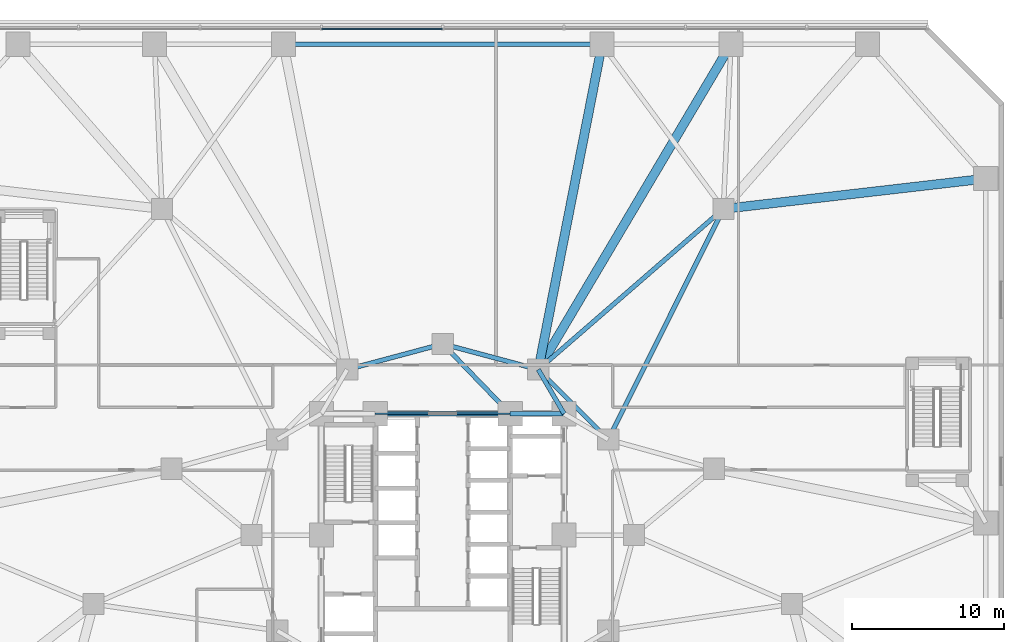
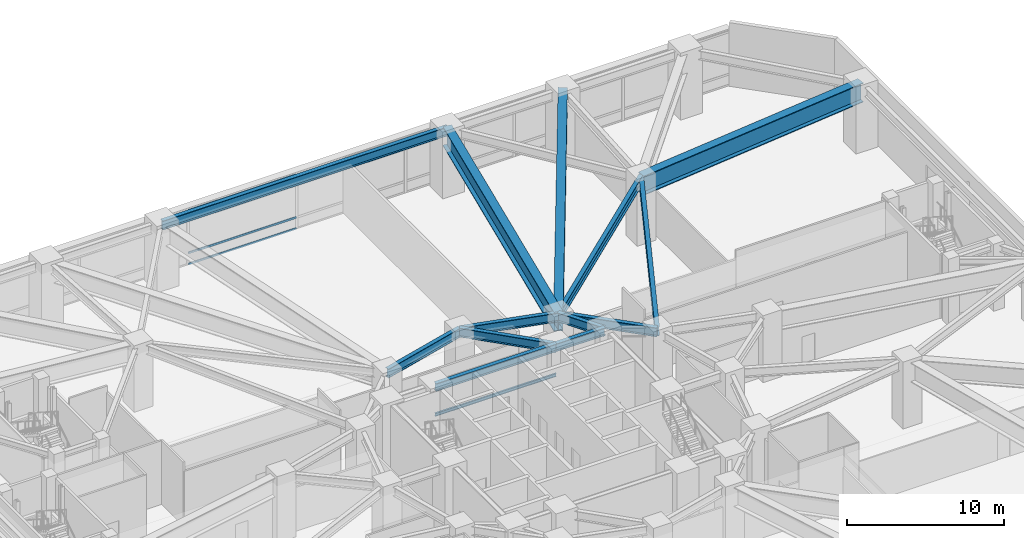
# One storey, part 10 of 27: 14 beams, 3 members, 1 element without a shape of its own.
"""IFC4 building model written with IfcOpenShell, lengths in metres."""

from ifc_helpers import new_model, si_unit, direction, frame, origin, origin_2d, place, context, subcontext, project, spatial, rectangle, i_section, extrude, material, layer, layer_set, material_profile, profile_set, type_object, element, aggregate, save


model = new_model("IFC4")

# Units and contexts
model_context = context("Model", 3, precision=1e-05, world=origin(), true_north=direction((0.0, 1.0)))
body_context = subcontext(model_context, "Body", "Model", "MODEL_VIEW")
ifc_project = project(units=[si_unit("LENGTHUNIT", "METRE"), si_unit("AREAUNIT", "SQUARE_METRE"), si_unit("VOLUMEUNIT", "CUBIC_METRE"), si_unit("PLANEANGLEUNIT", "RADIAN"), si_unit("MASSUNIT", "GRAM", prefix="KILO")], contexts=[model_context])

# Site, building, storey
site_placement = place(None, origin())
site = spatial("IfcSite", under=ifc_project, at=site_placement, CompositionType="ELEMENT")
building_placement = place(site_placement, origin())
building = spatial("IfcBuilding", under=site, at=building_placement, Name="Terralouvre Media Tower", CompositionType="ELEMENT")
storey_placement = place(building_placement, frame((0.0, 0.0, 15.60009765625)))
storey = spatial("IfcBuildingStorey", under=building, at=storey_placement, Name="L03", CompositionType="ELEMENT", Elevation=15.60009765625)

# Curtain wall, members
ifc_material_1 = material(Name="Low-iron laminated double glazing with solar-control coating", Category="glass")
ifc_layer = layer(ifc_material_1, 0.1650390625, Name="Podium Broadcast Gallery Glazing CW-01")
ifc_layer_set = layer_set([ifc_layer], Name="Low-iron laminated double glazing with solar-control coating")
curtain_wall_type = type_object("IfcCurtainWallType", Name="Podium Broadcast Gallery Glazing CW-01", PredefinedType="NOTDEFINED", material=ifc_layer_set)
curtain_wall_placement = place(storey_placement, origin())
curtain_wall = element("IfcCurtainWall", 1, at=curtain_wall_placement, inside=storey, type_object=curtain_wall_type, Name="L03 Podium Curtain Wall F4", PredefinedType="NOTDEFINED")
ifc_material_2 = material(Name="Anodised extruded aluminium 6063-T6", Category="aluminium")
ifc_material_profile_1 = material_profile(ifc_material_2, rectangle(XDim=0.074951171875, YDim=0.14990234375, at=origin_2d()), Name="ALU 75x150")
ifc_profile_set_1 = profile_set([ifc_material_profile_1], Name="Anodised extruded aluminium 6063-T6")
member_type = type_object("IfcMemberType", Name="Curtain-Wall Horizontal Transom TR-150", PredefinedType="USERDEFINED", material=ifc_profile_set_1)
member_1_placement = place(storey_placement, frame((-0.03759765625, 33.360107421875, 0.037353515625), z_axis=(-1.0, 0.0, 0.0), x_axis=(0.0, -1.0, 0.0)))
member_1 = element("IfcMember", 2, at=member_1_placement, type_object=member_type, Name="CW-01 transom 5.1", ObjectType="TRANSOM", PredefinedType="USERDEFINED", context=body_context, shape_type="SweptSolid", body=[
    extrude(rectangle(XDim=0.074951171875, YDim=0.14990234375, at=origin_2d()), origin(), (0.0, 0.0, 1.0), 7.9248046875),
])
member_2_placement = place(storey_placement, frame((-0.03759765625, 33.360107421875, 0.89990234375), z_axis=(-1.0, 0.0, 0.0), x_axis=(0.0, -1.0, 0.0)))
member_2 = element("IfcMember", 3, at=member_2_placement, type_object=member_type, Name="CW-01 transom 5.2", ObjectType="TRANSOM", PredefinedType="USERDEFINED", context=body_context, shape_type="SweptSolid", body=[
    extrude(rectangle(XDim=0.074951171875, YDim=0.14990234375, at=origin_2d()), origin(), (0.0, 0.0, 1.0), 7.9248046875),
])
member_3_placement = place(storey_placement, frame((-0.03759765625, 33.360107421875, 4.1923828125), z_axis=(-1.0, 0.0, 0.0), x_axis=(0.0, -1.0, 0.0)))
member_3 = element("IfcMember", 4, at=member_3_placement, type_object=member_type, Name="CW-01 transom 5.3", ObjectType="TRANSOM", PredefinedType="USERDEFINED", context=body_context, shape_type="SweptSolid", body=[
    extrude(rectangle(XDim=0.074951171875, YDim=0.14990234375, at=origin_2d()), origin(), (0.0, 0.0, 1.0), 7.9248046875),
])
aggregate(curtain_wall, [member_1, member_2, member_3])

# Beams
ifc_material_3 = material(Name="Structural steel S355J2", Category="steel")
ifc_material_profile_2 = material_profile(ifc_material_3, i_section(OverallWidth=0.1201171875, OverallDepth=0.239990234375, WebThickness=0.006103515625, FlangeThickness=0.009765625, at=origin_2d()), Name="IPE 240")
ifc_profile_set_2 = profile_set([ifc_material_profile_2], Name="Structural steel S355J2")
beam_type_1 = type_object("IfcBeamType", Name="Opening Lintel Beam LN-240 (IPE 240)", PredefinedType="LINTEL", material=ifc_profile_set_2)
beam_1_placement = place(storey_placement, frame((-4.449951171875, 8.0, 2.469970703125), z_axis=(1.0, 0.0, 0.0), x_axis=(0.0, 1.0, 0.0)))
element("IfcBeam", 5, at=beam_1_placement, inside=storey, type_object=beam_type_1, Name="L03 Core North Portal Lintel LN-06", PredefinedType="LINTEL", context=body_context, shape_type="SweptSolid", body=[
    extrude(i_section(OverallWidth=0.1201171875, OverallDepth=0.239990234375, WebThickness=0.006103515625, FlangeThickness=0.009765625, at=origin_2d()), origin(), (0.0, 0.0, 1.0), 8.89990234375),
])
ifc_material_4 = material(Name="Structural steel S460M", Category="steel")
ifc_material_profile_3 = material_profile(ifc_material_4, i_section(OverallWidth=0.300048828125, OverallDepth=0.60009765625, WebThickness=0.015380859375, FlangeThickness=0.030029296875, at=origin_2d()), Name="HEB 600")
ifc_profile_set_3 = profile_set([ifc_material_profile_3], Name="Structural steel S460M")
beam_type_2 = type_object("IfcBeamType", Name="Primary Floor Girder B-HEB600 (HEB 600)", PredefinedType="BEAM", material=ifc_profile_set_3)
beam_2_placement = place(storey_placement, frame((8.0, 8.0, 4.64990234375), z_axis=(-1.0, 0.0, 0.0), x_axis=(0.0, -1.0, 0.0)))
element("IfcBeam", 6, at=beam_2_placement, inside=storey, type_object=beam_type_2, Name="L03 Framing Beam BM-L03-CPR06", PredefinedType="BEAM", context=body_context, shape_type="SweptSolid", body=[
    extrude(i_section(OverallWidth=0.300048828125, OverallDepth=0.60009765625, WebThickness=0.015380859375, FlangeThickness=0.030029296875, at=origin_2d()), origin(), (0.0, 0.0, 1.0), 3.550048828125),
])
beam_3_placement = place(storey_placement, frame((4.449951171875, 8.0, 4.64990234375), z_axis=(-1.0, 0.0, 0.0), x_axis=(0.0, -1.0, 0.0)))
element("IfcBeam", 7, at=beam_3_placement, inside=storey, type_object=beam_type_2, Name="L03 Framing Beam BM-L03-CPR07", PredefinedType="BEAM", context=body_context, shape_type="SweptSolid", body=[
    extrude(i_section(OverallWidth=0.300048828125, OverallDepth=0.60009765625, WebThickness=0.015380859375, FlangeThickness=0.030029296875, at=origin_2d()), origin(), (0.0, 0.0, 1.0), 8.89990234375),
])
ifc_material_5 = material(Name="Structural steel S460M", Category="steel")
ifc_material_profile_4 = material_profile(ifc_material_5, i_section(OverallWidth=0.300048828125, OverallDepth=0.699951171875, WebThickness=0.01708984375, FlangeThickness=0.031982421875, at=origin_2d()), Name="HEB 700")
ifc_profile_set_4 = profile_set([ifc_material_profile_4], Name="Structural steel S460M")
beam_type_3 = type_object("IfcBeamType", Name="Primary Floor Girder B-HEB700 (HEB 700)", PredefinedType="BEAM", material=ifc_profile_set_4)
beam_4_placement = place(storey_placement, frame((10.911865234375, 6.300048828125, 4.599853515625), z_axis=(-0.707106781187, 0.707106781187, 0.0), x_axis=(-0.707106781187, -0.707106781187, 0.0)))
element("IfcBeam", 8, at=beam_4_placement, inside=storey, type_object=beam_type_3, Name="L03 Framing Beam BM-L03-MR07", PredefinedType="BEAM", context=body_context, shape_type="SweptSolid", body=[
    extrude(i_section(OverallWidth=0.300048828125, OverallDepth=0.699951171875, WebThickness=0.01708984375, FlangeThickness=0.031982421875, at=origin_2d()), origin(), (0.0, 0.0, 1.0), 6.52197265625),
])
for number, where, z_axis, x_axis, name in (
    (9, (6.300048828125, 10.911865234375, 4.599853515625), (-0.965920481897, 0.258838989821, 0.0), (-0.258838989821, -0.965920481897, 0.0), "L03 Framing Beam BM-L03-MR08"),
    (10, (0.0, 12.60009765625, 4.599853515625), (-0.965920481897, -0.258838989821, 0.0), (0.258838989821, -0.965920481897, 0.0), "L03 Framing Beam BM-L03-MR09"),
):
    element("IfcBeam", number, at=place(storey_placement, frame(where, z_axis=z_axis, x_axis=x_axis)), inside=storey, type_object=beam_type_3, Name=name, PredefinedType="BEAM", context=body_context, shape_type="SweptSolid", body=[
        extrude(i_section(OverallWidth=0.300048828125, OverallDepth=0.699951171875, WebThickness=0.01708984375, FlangeThickness=0.031982421875, at=origin_2d()), origin(), (0.0, 0.0, 1.0), 6.522216796875),
    ])
beam_5_placement = place(storey_placement, frame((8.0, 8.0, 4.599853515625), z_axis=(-0.504172629717, 0.863602894532, 0.0), x_axis=(-0.863602894532, -0.504172629717, 0.0)))
element("IfcBeam", 11, at=beam_5_placement, inside=storey, type_object=beam_type_3, Name="L03 Framing Beam BM-L03-CM08", PredefinedType="BEAM", context=body_context, shape_type="SweptSolid", body=[
    extrude(i_section(OverallWidth=0.300048828125, OverallDepth=0.699951171875, WebThickness=0.01708984375, FlangeThickness=0.031982421875, at=origin_2d()), origin(), (0.0, 0.0, 1.0), 3.371826171875),
])
beam_6_placement = place(storey_placement, frame((4.449951171875, 8.0, 4.599853515625), z_axis=(-0.695279715726, 0.718739255155, 0.0), x_axis=(-0.718739255155, -0.695279715726, 0.0)))
element("IfcBeam", 12, at=beam_6_placement, inside=storey, type_object=beam_type_3, Name="L03 Framing Beam BM-L03-CM09", PredefinedType="BEAM", context=body_context, shape_type="SweptSolid", body=[
    extrude(i_section(OverallWidth=0.300048828125, OverallDepth=0.699951171875, WebThickness=0.01708984375, FlangeThickness=0.031982421875, at=origin_2d()), origin(), (0.0, 0.0, 1.0), 6.400146484375),
])
beam_7_placement = place(storey_placement, frame((6.300048828125, 10.911865234375, 4.599853515625), z_axis=(0.755234116228, 0.65545513171, 0.0), x_axis=(-0.65545513171, 0.755234116228, 0.0)))
element("IfcBeam", 13, at=beam_7_placement, inside=storey, type_object=beam_type_3, Name="L03 Framing Beam BM-L03-PM20M1", PredefinedType="BEAM", context=body_context, shape_type="SweptSolid", body=[
    extrude(i_section(OverallWidth=0.300048828125, OverallDepth=0.699951171875, WebThickness=0.01708984375, FlangeThickness=0.031982421875, at=origin_2d()), origin(), (0.0, 0.0, 1.0), 16.15380859375),
])
beam_8_placement = place(storey_placement, frame((10.911865234375, 6.300048828125, 4.599853515625), z_axis=(0.446655925193, 0.894705808906, 0.0), x_axis=(-0.894705808906, 0.446655925193, 0.0)))
element("IfcBeam", 14, at=beam_8_placement, inside=storey, type_object=beam_type_3, Name="L03 Framing Beam BM-L03-PM20M2", PredefinedType="BEAM", context=body_context, shape_type="SweptSolid", body=[
    extrude(i_section(OverallWidth=0.300048828125, OverallDepth=0.699951171875, WebThickness=0.01708984375, FlangeThickness=0.031982421875, at=origin_2d()), origin(), (0.0, 0.0, 1.0), 16.98876953125),
])
beam_9_placement = place(storey_placement, frame((10.5, 32.35009765625, 4.599853515625), z_axis=(-1.0, 0.0, 0.0), x_axis=(0.0, -1.0, 0.0)))
element("IfcBeam", 15, at=beam_9_placement, inside=storey, type_object=beam_type_3, Name="L03 Framing Beam BM-L03-PR13", PredefinedType="BEAM", context=body_context, shape_type="SweptSolid", body=[
    extrude(i_section(OverallWidth=0.300048828125, OverallDepth=0.699951171875, WebThickness=0.01708984375, FlangeThickness=0.031982421875, at=origin_2d()), origin(), (0.0, 0.0, 1.0), 21.0),
])
ifc_material_6 = material(Name="Structural steel S460M", Category="steel")
ifc_material_profile_5 = material_profile(ifc_material_6, i_section(OverallWidth=0.60009765625, OverallDepth=1.5, WebThickness=0.033935546875, FlangeThickness=0.054931640625, at=origin_2d()), Name="PG 1500x600")
ifc_profile_set_5 = profile_set([ifc_material_profile_5], Name="Structural steel S460M")
beam_type_4 = type_object("IfcBeamType", Name="Primary Floor Girder B-PG1500 (PG 1500x600)", PredefinedType="BEAM", material=ifc_profile_set_5)
beam_10_placement = place(storey_placement, frame((18.5, 21.5, 4.199951171875), z_axis=(0.993383801046, 0.114841733791, 0.0), x_axis=(-0.114841733791, 0.993383801046, 0.0)))
element("IfcBeam", 16, at=beam_10_placement, inside=storey, type_object=beam_type_4, Name="L03 Framing Beam BM-L03-RD10", PredefinedType="BEAM", context=body_context, shape_type="SweptSolid", body=[
    extrude(i_section(OverallWidth=0.60009765625, OverallDepth=1.5, WebThickness=0.033935546875, FlangeThickness=0.054931640625, at=origin_2d()), origin(), (0.0, 0.0, 1.0), 17.415283203125),
])
beam_11_placement = place(storey_placement, frame((6.300048828125, 10.911865234375, 4.199951171875), z_axis=(0.509678035934, 0.860365212969, 0.0), x_axis=(-0.860365212969, 0.509678035934, 0.0)))
element("IfcBeam", 17, at=beam_11_placement, inside=storey, type_object=beam_type_4, Name="L03 Framing Beam BM-L03-RD12", PredefinedType="BEAM", context=body_context, shape_type="SweptSolid", body=[
    extrude(i_section(OverallWidth=0.60009765625, OverallDepth=1.5, WebThickness=0.033935546875, FlangeThickness=0.054931640625, at=origin_2d()), origin(), (0.0, 0.0, 1.0), 24.91748046875),
])
beam_12_placement = place(storey_placement, frame((6.300048828125, 10.911865234375, 4.199951171875), z_axis=(0.192254717948, 0.981345058288, 0.0), x_axis=(-0.981345058288, 0.192254717948, 0.0)))
element("IfcBeam", 18, at=beam_12_placement, inside=storey, type_object=beam_type_4, Name="L03 Framing Beam BM-L03-RD13", PredefinedType="BEAM", context=body_context, shape_type="SweptSolid", body=[
    extrude(i_section(OverallWidth=0.60009765625, OverallDepth=1.5, WebThickness=0.033935546875, FlangeThickness=0.054931640625, at=origin_2d()), origin(), (0.0, 0.0, 1.0), 21.845703125),
])

save(model, "model.ifc")
